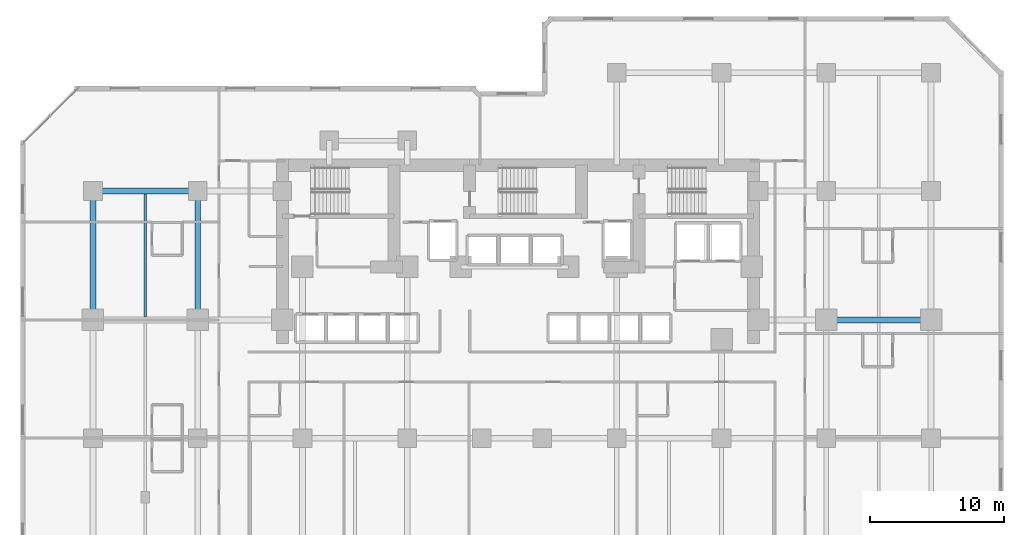
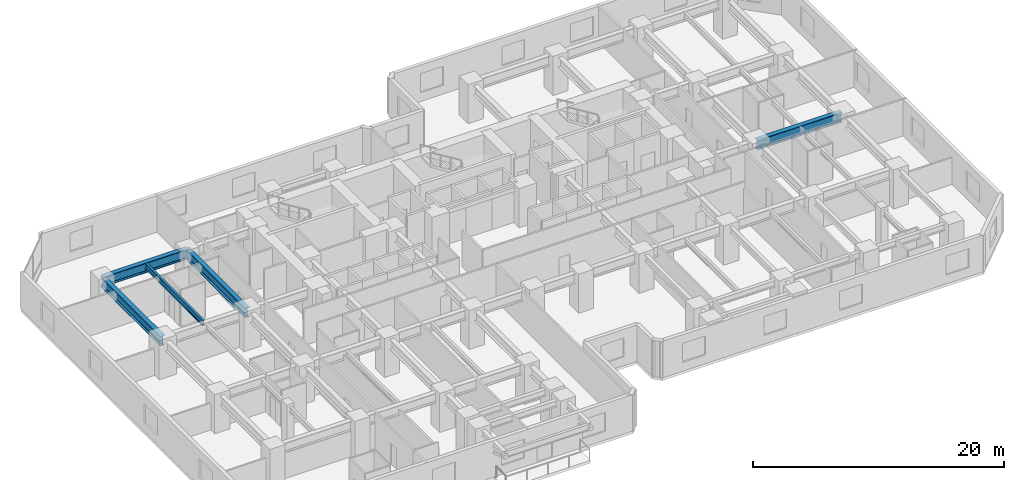
# One storey, part 2 of 11: 5 beams.
"""IFC4 building model written with IfcOpenShell, lengths in metres."""

from ifc_helpers import new_model, si_unit, direction, frame, origin, origin_2d, place, context, subcontext, project, spatial, i_section, extrude, material, material_profile, profile_set, type_object, element, save


model = new_model("IFC4")

# Units and contexts
model_context = context("Model", 3, precision=1e-05, world=origin(), true_north=direction((0.0, 1.0)))
body_context = subcontext(model_context, "Body", "Model", "MODEL_VIEW")
ifc_project = project(units=[si_unit("LENGTHUNIT", "METRE"), si_unit("AREAUNIT", "SQUARE_METRE"), si_unit("VOLUMEUNIT", "CUBIC_METRE"), si_unit("PLANEANGLEUNIT", "RADIAN"), si_unit("MASSUNIT", "GRAM", prefix="KILO")], contexts=[model_context])

# Site, building, storey
site_placement = place(None, origin())
site = spatial("IfcSite", under=ifc_project, at=site_placement, CompositionType="ELEMENT")
building_placement = place(site_placement, origin())
building = spatial("IfcBuilding", under=site, at=building_placement, Name="Kestravale Grand Hotel", CompositionType="ELEMENT")
storey_placement = place(building_placement, frame((0.0, 0.0, 45.0)))
storey = spatial("IfcBuildingStorey", under=building, at=storey_placement, Name="L10", CompositionType="ELEMENT", Elevation=45.0)

# Beams
ifc_material_1 = material(Name="Steel ASTM A992 Grade 50", Category="steel")
ifc_material_profile_1 = material_profile(ifc_material_1, i_section(OverallWidth=0.2099609375, OverallDepth=0.535888671875, WebThickness=0.010986328125, FlangeThickness=0.017333984375, FilletRadius=0.017578125, at=origin_2d()))
ifc_profile_set_1 = profile_set([ifc_material_profile_1], Name="Steel ASTM A992 Grade 50")
beam_type_1 = type_object("IfcBeamType", Name="B-FLR-JST21", PredefinedType="JOIST", material=ifc_profile_set_1)
beam_placement = place(storey_placement, frame((11.699951171875, 29.011962890625, 3.27197265625), z_axis=(0.0, 1.0, 0.0), x_axis=(-1.0, 0.0, 0.0)))
element("IfcBeam", 1, at=beam_placement, inside=storey, type_object=beam_type_1, Name="L10 floor joist 2-3/E-F #1", PredefinedType="JOIST", context=body_context, shape_type="SweptSolid", body=[
    extrude(i_section(OverallWidth=0.2099609375, OverallDepth=0.535888671875, WebThickness=0.010986328125, FlangeThickness=0.017333984375, FilletRadius=0.017578125, at=origin_2d()), origin(), (0.0, 0.0, 1.0), 9.176025390625),
])
ifc_material_2 = material(Name="Steel ASTM A992 Grade 50", Category="steel")
ifc_material_profile_2 = material_profile(ifc_material_2, i_section(OverallWidth=0.424072265625, OverallDepth=0.947021484375, WebThickness=0.02392578125, FlangeThickness=0.042724609375, FilletRadius=0.0283203125, at=origin_2d()))
ifc_profile_set_2 = profile_set([ifc_material_profile_2], Name="Steel ASTM A992 Grade 50")
beam_type_2 = type_object("IfcBeamType", Name="B-GRD-W36", PredefinedType="BEAM", material=ifc_profile_set_2)
for number, where, z_axis, x_axis, name in (
    (2, (62.39990234375, 28.800048828125, 3.06640625), (1.0, 0.0, 0.0), (0.0, 1.0, 0.0), "L10 girder E:10-11"),
    (3, (7.800048828125, 38.39990234375, 3.06640625), (1.0, 0.0, 0.0), (0.0, 1.0, 0.0), "L10 girder F:2-3"),
):
    element("IfcBeam", number, at=place(storey_placement, frame(where, z_axis=z_axis, x_axis=x_axis)), inside=storey, type_object=beam_type_2, Name=name, PredefinedType="BEAM", context=body_context, shape_type="SweptSolid", body=[
        extrude(i_section(OverallWidth=0.424072265625, OverallDepth=0.947021484375, WebThickness=0.02392578125, FlangeThickness=0.042724609375, FilletRadius=0.0283203125, at=origin_2d()), origin(), (0.0, 0.0, 1.0), 7.800048828125),
    ])
for number, where, z_axis, x_axis, name in (
    (4, (7.800048828125, 28.800048828125, 3.06640625), (0.0, 1.0, 0.0), (-1.0, 0.0, 0.0), "L10 girder 2:E-F"),
    (5, (15.60009765625, 28.800048828125, 3.06640625), (0.0, 1.0, 0.0), (-1.0, 0.0, 0.0), "L10 girder 3:E-F"),
):
    element("IfcBeam", number, at=place(storey_placement, frame(where, z_axis=z_axis, x_axis=x_axis)), inside=storey, type_object=beam_type_2, Name=name, PredefinedType="BEAM", context=body_context, shape_type="SweptSolid", body=[
        extrude(i_section(OverallWidth=0.424072265625, OverallDepth=0.947021484375, WebThickness=0.02392578125, FlangeThickness=0.042724609375, FilletRadius=0.0283203125, at=origin_2d()), origin(), (0.0, 0.0, 1.0), 9.599853515625),
    ])

save(model, "model.ifc")
